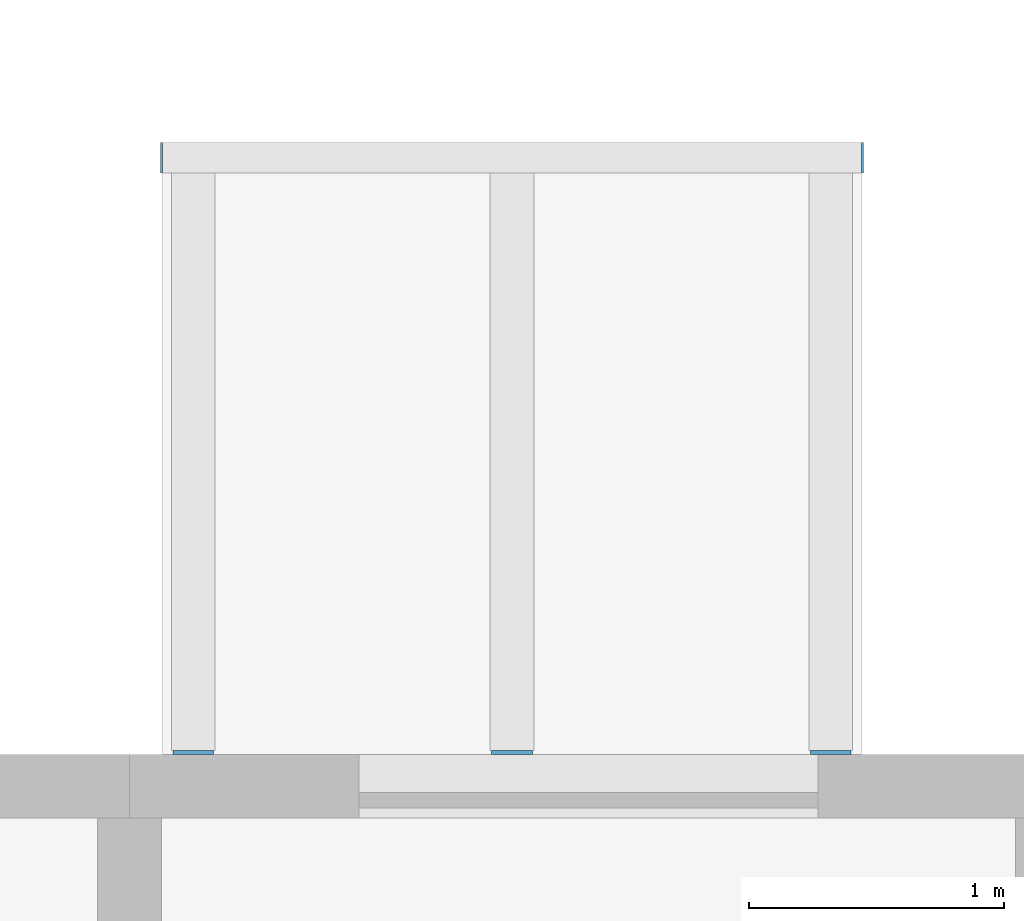
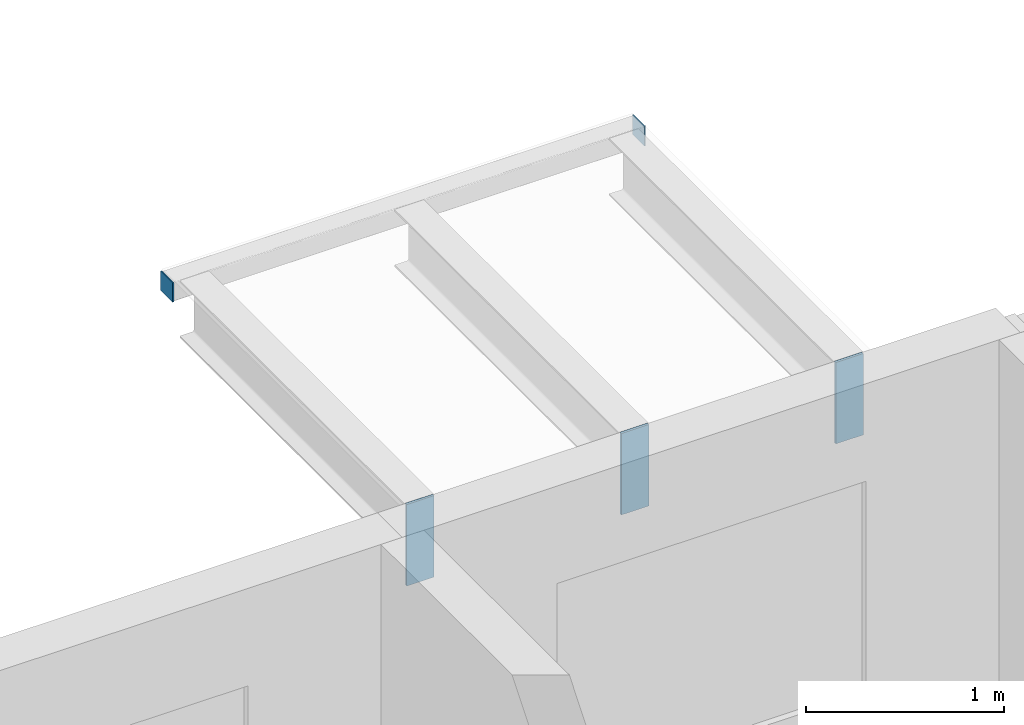
# One storey, part 71 of 100: 5 discrete accessories.
"""IFC4 building model written with IfcOpenShell, lengths in metres."""

from ifc_helpers import new_model, si_unit, direction, frame, origin, origin_2d, place, context, subcontext, project, spatial, rectangle, extrude, material, layer, layer_set, type_object, element, save


model = new_model("IFC4")

# Units and contexts
model_context = context("Model", 3, precision=1e-05, world=origin(), true_north=direction((0.0, 1.0)))
body_context = subcontext(model_context, "Body", "Model", "MODEL_VIEW")
ifc_project = project(units=[si_unit("LENGTHUNIT", "METRE"), si_unit("AREAUNIT", "SQUARE_METRE"), si_unit("VOLUMEUNIT", "CUBIC_METRE"), si_unit("PLANEANGLEUNIT", "RADIAN"), si_unit("MASSUNIT", "GRAM", prefix="KILO")], contexts=[model_context])

# Site, building, storey
site_placement = place(None, origin())
site = spatial("IfcSite", under=ifc_project, at=site_placement, CompositionType="ELEMENT")
building_placement = place(site_placement, origin())
building = spatial("IfcBuilding", under=site, at=building_placement, Name="Ridgestep Commons", CompositionType="ELEMENT")
storey_placement = place(building_placement, frame((0.0, 0.0, 9.0)))
storey = spatial("IfcBuildingStorey", under=building, at=storey_placement, Name="L03", CompositionType="ELEMENT", Elevation=9.0)

# Discrete accessories
ifc_material_1 = material(Name="Weathering steel S355J2W", Category="steel")
ifc_layer_1 = layer(ifc_material_1, 0.014892578125)
ifc_layer_set_1 = layer_set([ifc_layer_1], Name="Tray bracket plate 15")
discrete_accessory_type_1 = type_object("IfcDiscreteAccessoryType", Name="Tray bracket plate 15", PredefinedType="BRACKET", material=ifc_layer_set_1)
for number, where, z_axis, x_axis, name in (
    (1, (187.85009765625, 23.007568359375, 2.488525390625), (0.0, 0.0, 1.0), (1.0, 0.0, 0.0), "Tray bracket D3T3-04.1"),
    (2, (189.10009765625, 23.007568359375, 2.488525390625), (0.0, 0.0, 1.0), (1.0, 0.0, 0.0), "Tray bracket D3T3-04.2"),
    (3, (190.35009765625, 23.007568359375, 2.488525390625), (0.0, 0.0, 1.0), (1.0, 0.0, 0.0), "Tray bracket D3T3-04.3"),
):
    element("IfcDiscreteAccessory", number, at=place(storey_placement, frame(where, z_axis=z_axis, x_axis=x_axis)), inside=storey, type_object=discrete_accessory_type_1, Name=name, PredefinedType="BRACKET", context=body_context, shape_type="SweptSolid", body=[
        extrude(rectangle(XDim=0.159912109375, YDim=0.014892578125, at=origin_2d()), origin(), (0.0, 0.0, 1.0), 0.50146484375),
    ])
ifc_material_2 = material(Name="Weathering steel S355J2W", Category="steel")
ifc_layer_2 = layer(ifc_material_2, 0.008056640625)
ifc_layer_set_2 = layer_set([ifc_layer_2], Name="Tray edge member end plate 120 x 120 x 8")
discrete_accessory_type_2 = type_object("IfcDiscreteAccessoryType", Name="Tray edge member end plate 120 x 120 x 8", PredefinedType="BRACKET", material=ifc_layer_set_2)
for number, where, z_axis, x_axis, name in (
    (4, (187.72607421875, 25.340087890625, 2.869873046875), (0.0, 0.0, 1.0), (1.0, 0.0, 0.0), "Tray edge member end plate D3T3-04 west"),
    (5, (190.47412109375, 25.340087890625, 2.869873046875), (0.0, 0.0, 1.0), (1.0, 0.0, 0.0), "Tray edge member end plate D3T3-04 east"),
):
    element("IfcDiscreteAccessory", number, at=place(storey_placement, frame(where, z_axis=z_axis, x_axis=x_axis)), inside=storey, type_object=discrete_accessory_type_2, Name=name, PredefinedType="BRACKET", context=body_context, shape_type="SweptSolid", body=[
        extrude(rectangle(XDim=0.008056640625, YDim=0.1201171875, at=origin_2d()), origin(), (0.0, 0.0, 1.0), 0.1201171875),
    ])

save(model, "model.ifc")
